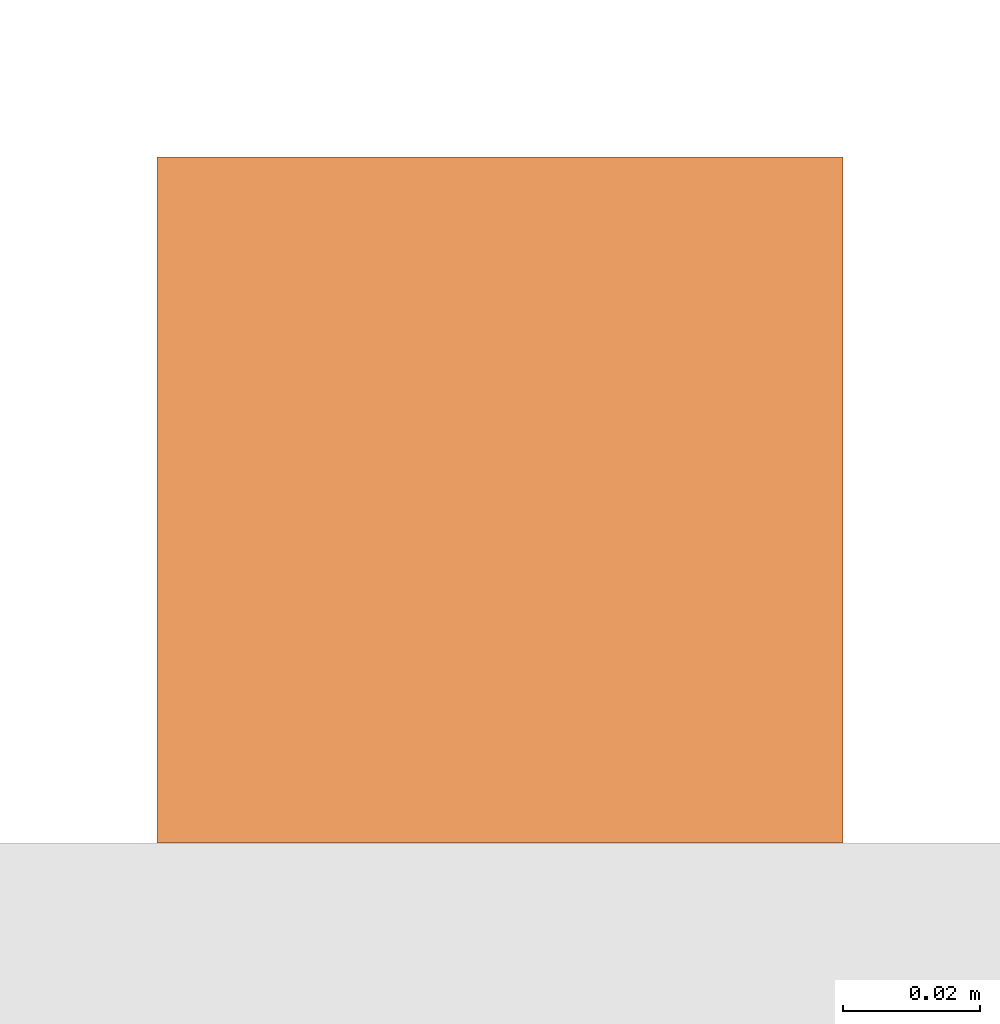
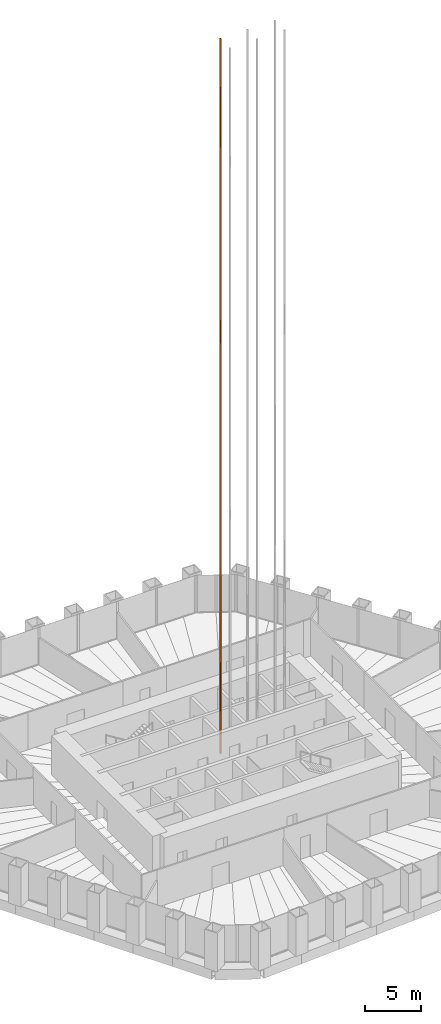
# One storey, part 17 of 20: 1 proxy.
"""IFC4 building model written with IfcOpenShell, lengths in metres."""

import ifcopenshell
import ifcopenshell.guid

model = None  # the IFC model being written
_history = None  # IfcOwnerHistory: only IFC2X3 demands one
_inside = {}  # id of a spatial element -> (the spatial element, [elements in it])
_under = {}  # id of a project, library or spatial element -> (it, [spatial elements below it])
_declared = {}  # id of a project -> (the project, [libraries it declares])
_typed = {}  # id of a type object -> (the type object, [elements of that type])
_made_of = {}  # id of a material, layer set ... -> (it, [elements and type objects made of it])


def new_model(schema):
    """Start an empty IFC model of exactly this schema.

    Asked for "IFC4X3", IfcOpenShell would pick the latest addendum, in which some entities
    have other attributes; the version numbers below select the first issue.
    IFC2X3 requires an IfcOwnerHistory on every rooted entity: one is made here for all.
    """
    global model, _history
    if schema == "IFC4X3":
        model = ifcopenshell.file(schema_version=(4, 3, 0, 0))
    else:
        model = ifcopenshell.file(schema=schema)
    _inside.clear()
    _under.clear()
    _declared.clear()
    _typed.clear()
    _made_of.clear()
    _history = None
    if model.schema == "IFC2X3":
        org = make("IfcOrganization", Name="unknown")
        user = make(
            "IfcPersonAndOrganization",
            ThePerson=make("IfcPerson", FamilyName="unknown"),
            TheOrganization=org,
        )
        app = make(
            "IfcApplication",
            ApplicationDeveloper=org,
            Version="unknown",
            ApplicationFullName="unknown",
            ApplicationIdentifier="unknown",
        )
        _history = make(
            "IfcOwnerHistory",
            OwningUser=user,
            OwningApplication=app,
            ChangeAction="ADDED",
            CreationDate=0,
        )
    return model


def make(cls, **values):
    """One entity of the class cls with the attributes given. An attribute that is None is left unset."""
    return model.create_entity(
        cls, **{name: value for name, value in values.items() if value is not None}
    )


def rooted(cls, **values):
    """An entity with a GlobalId (a new one), such as an element, a storey or a relation."""
    return make(cls, GlobalId=ifcopenshell.guid.new(), OwnerHistory=_history, **values)


def si_unit(unit_type, name, prefix=None):
    """IfcSIUnit, for example si_unit("LENGTHUNIT", "METRE", prefix="MILLI")."""
    return make("IfcSIUnit", UnitType=unit_type, Prefix=prefix, Name=name)


def assignment(units):
    """IfcUnitAssignment: the units of a project."""
    return None if units is None else make("IfcUnitAssignment", Units=units)


def point(xyz):
    """IfcCartesianPoint."""
    return None if xyz is None else make("IfcCartesianPoint", Coordinates=xyz)


def direction(xyz):
    """IfcDirection."""
    return None if xyz is None else make("IfcDirection", DirectionRatios=xyz)


def frame(location, z_axis=None, x_axis=None):
    """IfcAxis2Placement3D, a coordinate frame: its origin and axes. An axis left out is left unset."""
    return make(
        "IfcAxis2Placement3D",
        Location=point(location),
        Axis=direction(z_axis),
        RefDirection=direction(x_axis),
    )


def frame_2d(location, x_axis=None):
    """IfcAxis2Placement2D, a coordinate frame in the plane: its origin and x axis."""
    return make(
        "IfcAxis2Placement2D", Location=point(location), RefDirection=direction(x_axis)
    )


def origin():
    """The frame at (0, 0, 0) with its axes left unset."""
    return frame((0.0, 0.0, 0.0))


def origin_2d():
    """The frame at (0, 0) in the plane with its x axis left unset."""
    return frame_2d((0.0, 0.0))


def place(relative_to, where):
    """IfcLocalPlacement: puts the frame where relative to a parent placement (None: the world)."""
    return make(
        "IfcLocalPlacement", PlacementRelTo=relative_to, RelativePlacement=where
    )


def context(
    kind, dimensions, precision=None, world=None, true_north=None, identifier=None
):
    """IfcGeometricRepresentationContext, for example the 3D "Model" context."""
    return make(
        "IfcGeometricRepresentationContext",
        ContextIdentifier=identifier,
        ContextType=kind,
        CoordinateSpaceDimension=dimensions,
        Precision=precision,
        WorldCoordinateSystem=world,
        TrueNorth=true_north,
    )


def subcontext(parent, identifier, kind, view, scale=None):
    """IfcGeometricRepresentationSubContext, for example "Body" below "Model"."""
    return make(
        "IfcGeometricRepresentationSubContext",
        ContextIdentifier=identifier,
        ContextType=kind,
        ParentContext=parent,
        TargetScale=scale,
        TargetView=view,
    )


def project(units=None, contexts=None):
    """IfcProject with its units and contexts."""
    return rooted(
        "IfcProject",
        Name="project",
        RepresentationContexts=contexts,
        UnitsInContext=assignment(units),
    )


def spatial(cls, under=None, at=None, **own):
    """A site, building, storey or space (cls), placed at a placement, below another one or the project."""
    s = rooted(cls, ObjectPlacement=at, **own)
    if under is not None:
        _under.setdefault(under.id(), (under, []))[1].append(s)
    return s


def profile(cls, at=None, kind="AREA", **sizes):
    """A parametric profile (cls). Its sizes go by their IFC names, for example OverallWidth=200.0."""
    return make(cls, ProfileType=kind, Position=at, **sizes)


def rectangle(**sizes):
    """IfcRectangleProfileDef."""
    return profile("IfcRectangleProfileDef", **sizes)


def extrude(swept, where, along, depth):
    """IfcExtrudedAreaSolid: the profile swept, set in the frame where, extruded along a direction by depth."""
    return make(
        "IfcExtrudedAreaSolid",
        SweptArea=swept,
        Position=where,
        ExtrudedDirection=direction(along),
        Depth=depth,
    )


def shape(context_of_items, identifier, shape_type, items):
    """IfcShapeRepresentation: the items that make up one representation, for example the "Body"."""
    return make(
        "IfcShapeRepresentation",
        ContextOfItems=context_of_items,
        RepresentationIdentifier=identifier,
        RepresentationType=shape_type,
        Items=items,
    )


def material(Name=None, Category=None):
    """IfcMaterial."""
    return make("IfcMaterial", Name=Name, Category=Category)


def made_of(thing, what):
    """Note that an element or type object is made of a material, layer set ...; save() writes the relation."""
    if what is not None:
        _made_of.setdefault(what.id(), (what, []))[1].append(thing)
    return thing


def type_object(cls, material=None, **own):
    """A type object (cls), such as IfcWallType, which elements share."""
    return made_of(rooted(cls, **own), material)


def element(
    cls,
    number,
    at=None,
    inside=None,
    cuts=None,
    type_object=None,
    material=None,
    context=None,
    identifier="Body",
    shape_type=None,
    held_by="IfcProductDefinitionShape",
    body=None,
    shapes=None,
    **own,
):
    """One element of the class cls, such as IfcWall. Its Tag is "e" and its number.

    at: its placement. inside: the storey or other place that contains it. cuts: it is an
    opening in that element (IfcRelVoidsElement). A single representation is given by context,
    identifier, shape_type and body (its items); several are given by shapes. held_by: the class
    of the entity that holds the representations. save() writes the other relations.
    """
    e = rooted(cls, Tag="e%d" % number, ObjectPlacement=at, **own)
    if body is not None:
        shapes = [shape(context, identifier, shape_type, body)]
    if shapes is not None:
        e.Representation = make(held_by, Representations=shapes)
    if inside is not None:
        _inside.setdefault(inside.id(), (inside, []))[1].append(e)
    if cuts is not None:
        rooted(
            "IfcRelVoidsElement", RelatingBuildingElement=cuts, RelatedOpeningElement=e
        )
    if type_object is not None:
        _typed.setdefault(type_object.id(), (type_object, []))[1].append(e)
    return made_of(e, material)


def aggregate(whole, parts):
    """IfcRelAggregates: a whole, such as a stair, and the parts it consists of."""
    return rooted("IfcRelAggregates", RelatingObject=whole, RelatedObjects=parts)


def save(model, path):
    """Write the relations noted so far, then the file.

    IfcRelAggregates (storeys below a building ...), IfcRelContainedInSpatialStructure (elements
    in a storey), IfcRelDefinesByType, IfcRelAssociatesMaterial and IfcRelDeclares: one each for
    every whole, place, type object, material and project.
    """
    for whole, parts in _under.values():
        aggregate(whole, parts)
    for where, things in _inside.values():
        rooted(
            "IfcRelContainedInSpatialStructure",
            RelatedElements=things,
            RelatingStructure=where,
        )
    for kind, things in _typed.values():
        rooted("IfcRelDefinesByType", RelatedObjects=things, RelatingType=kind)
    for what, things in _made_of.values():
        rooted("IfcRelAssociatesMaterial", RelatedObjects=things, RelatingMaterial=what)
    for by, libraries in _declared.values():
        rooted("IfcRelDeclares", RelatingContext=by, RelatedDefinitions=libraries)
    model.write(path)


model = new_model("IFC4")

# Units and contexts
model_context = context("Model", 3, precision=1e-05, world=origin(), true_north=direction((0.0, 1.0)))
body_context = subcontext(model_context, "Body", "Model", "MODEL_VIEW")
ifc_project = project(units=[si_unit("LENGTHUNIT", "METRE"), si_unit("AREAUNIT", "SQUARE_METRE"), si_unit("VOLUMEUNIT", "CUBIC_METRE"), si_unit("PLANEANGLEUNIT", "RADIAN"), si_unit("MASSUNIT", "GRAM", prefix="KILO")], contexts=[model_context])

# Site, building, storey
site_placement = place(None, origin())
site = spatial("IfcSite", under=ifc_project, at=site_placement, CompositionType="ELEMENT")
building_placement = place(site_placement, origin())
building = spatial("IfcBuilding", under=site, at=building_placement, Name="Qingtian Harvest Tower", CompositionType="ELEMENT")
storey_placement = place(building_placement, frame((0.0, 0.0, 103.0)))
storey = spatial("IfcBuildingStorey", under=building, at=storey_placement, Name="L20", CompositionType="ELEMENT", Elevation=103.0)

# Proxy
ifc_material = material(Name="Steel SN490B", Category="steel")
building_element_proxy_type = type_object("IfcBuildingElementProxyType", Name="Lift guide rail LR1", PredefinedType="NOTDEFINED", material=ifc_material)
proxy_placement = place(storey_placement, frame((1.89990234375, 4.375, 0.0), z_axis=(0.0, 0.0, 1.0), x_axis=(1.0, 0.0, 0.0)))
element("IfcBuildingElementProxy", 1, at=proxy_placement, inside=storey, type_object=building_element_proxy_type, Name="Lift PLB1 guide rail 2", PredefinedType="NOTDEFINED", context=body_context, shape_type="SweptSolid", body=[
    extrude(rectangle(XDim=0.10009765625, YDim=0.10009765625, at=origin_2d()), origin(), (0.0, 0.0, 1.0), 77.39990234375),
])

save(model, "model.ifc")
